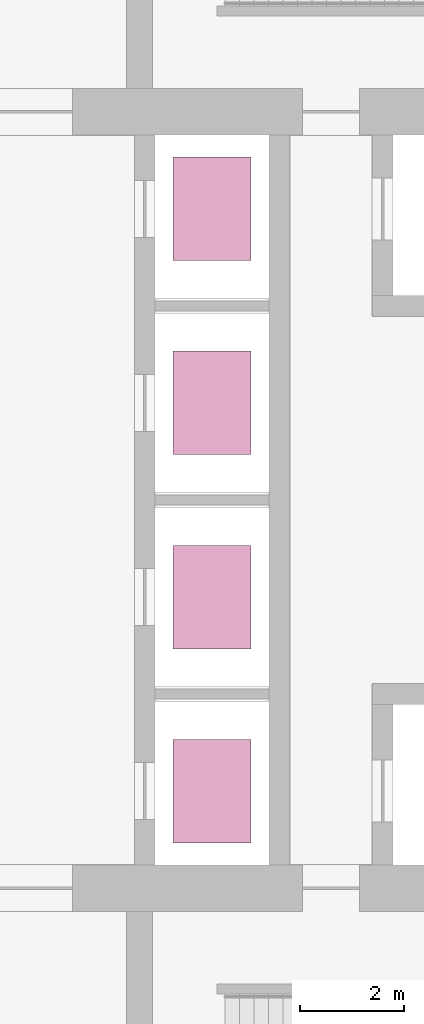
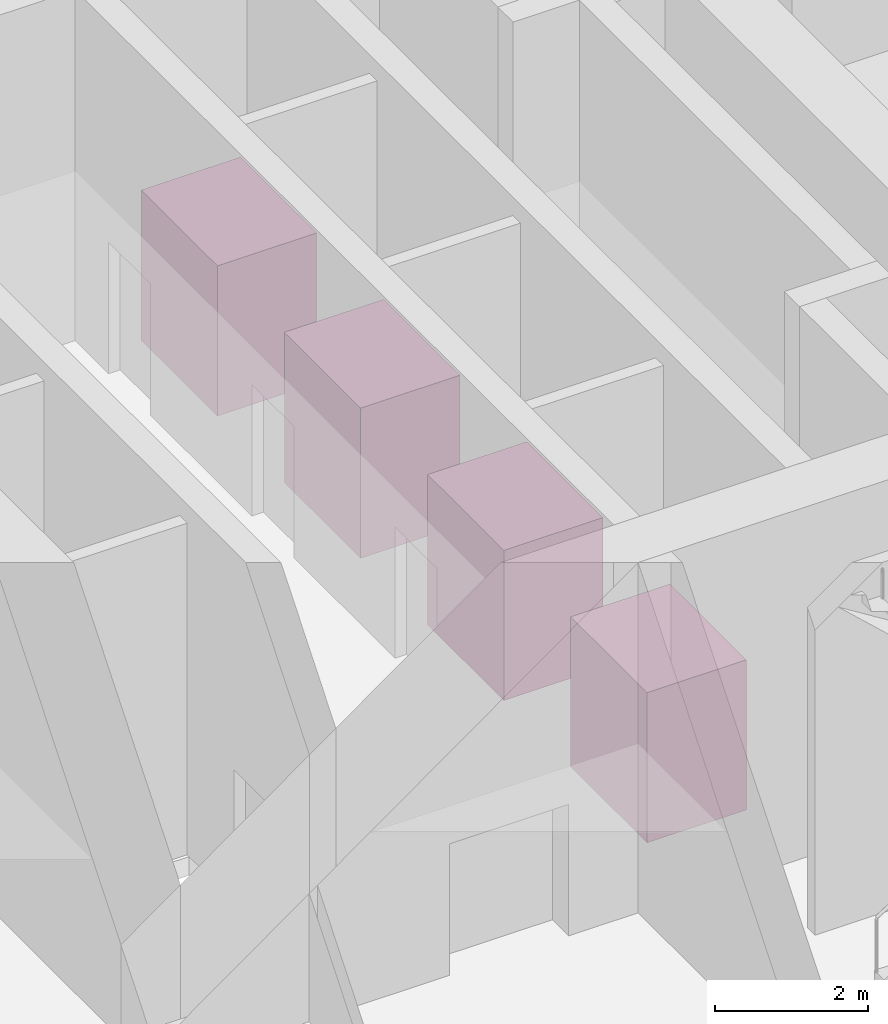
# One storey, part 16 of 16: 4 transport elements.
"""IFC4 building model written with IfcOpenShell, lengths in metres."""

from ifc_helpers import new_model, si_unit, direction, frame, origin, origin_2d, place, context, subcontext, project, spatial, rectangle, extrude, material, type_object, element, save


model = new_model("IFC4")

# Units and contexts
model_context = context("Model", 3, precision=1e-05, world=origin(), true_north=direction((0.0, 1.0)))
body_context = subcontext(model_context, "Body", "Model", "MODEL_VIEW")
ifc_project = project(units=[si_unit("LENGTHUNIT", "METRE"), si_unit("AREAUNIT", "SQUARE_METRE"), si_unit("VOLUMEUNIT", "CUBIC_METRE"), si_unit("PLANEANGLEUNIT", "RADIAN"), si_unit("MASSUNIT", "GRAM", prefix="KILO")], contexts=[model_context])

# Site, building, storey
site_placement = place(None, origin())
site = spatial("IfcSite", under=ifc_project, at=site_placement, CompositionType="ELEMENT")
building_placement = place(site_placement, origin())
building = spatial("IfcBuilding", under=site, at=building_placement, Name="Sheger Commons Tower", CompositionType="ELEMENT")
storey_placement = place(building_placement, origin())
storey = spatial("IfcBuildingStorey", under=building, at=storey_placement, Name="L00", CompositionType="ELEMENT", Elevation=0.0)

# Transport elements
ifc_material = material(Name="Lift car, stainless steel", Category="steel")
transport_element_type = type_object("IfcTransportElementType", Name="LIFT CAR 2000x1500", PredefinedType="ELEVATOR", material=ifc_material)
for number, where, z_axis, x_axis, name in (
    (1, (22.89990234375, 16.875, 0.0), (0.0, 0.0, 1.0), (1.0, 0.0, 0.0), "Lift LB1"),
    (2, (22.89990234375, 20.625, 0.0), (0.0, 0.0, 1.0), (1.0, 0.0, 0.0), "Lift LB2"),
    (3, (22.89990234375, 24.375, 0.0), (0.0, 0.0, 1.0), (1.0, 0.0, 0.0), "Lift LB3"),
    (4, (22.89990234375, 28.125, 0.0), (0.0, 0.0, 1.0), (1.0, 0.0, 0.0), "Lift LB4"),
):
    element("IfcTransportElement", number, at=place(storey_placement, frame(where, z_axis=z_axis, x_axis=x_axis)), inside=storey, type_object=transport_element_type, Name=name, PredefinedType="ELEVATOR", context=body_context, shape_type="SweptSolid", body=[
        extrude(rectangle(XDim=1.5, YDim=2.0, at=origin_2d()), origin(), (0.0, 0.0, 1.0), 2.39990234375),
    ])

save(model, "model.ifc")
